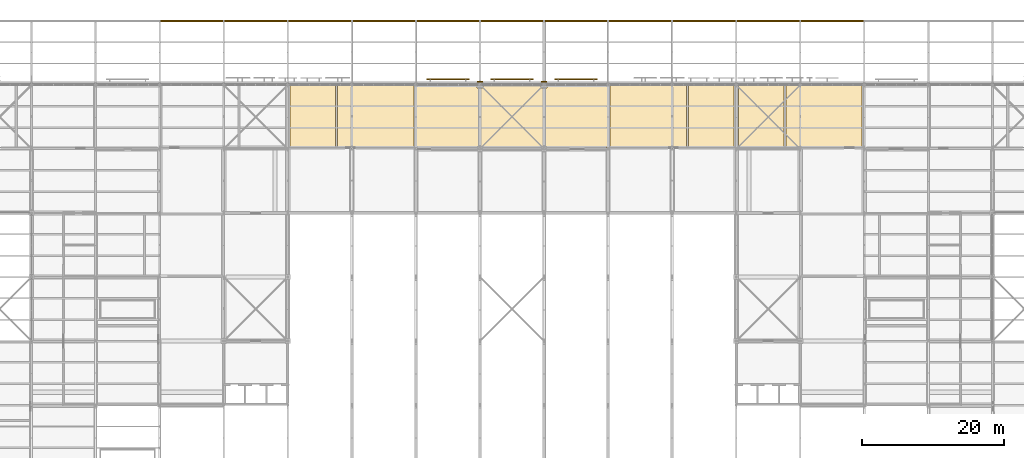
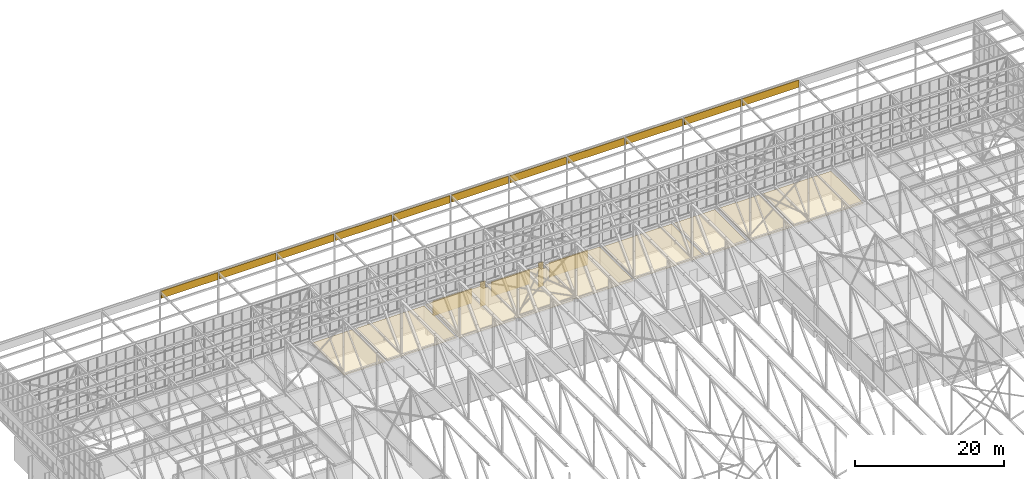
# One storey, part 643 of 646: 20 coverings, 3 shading devices.
"""IFC4 building model written with IfcOpenShell, lengths in metres."""

import ifcopenshell
import ifcopenshell.guid

model = None  # the IFC model being written
_history = None  # IfcOwnerHistory: only IFC2X3 demands one
_inside = {}  # id of a spatial element -> (the spatial element, [elements in it])
_under = {}  # id of a project, library or spatial element -> (it, [spatial elements below it])
_declared = {}  # id of a project -> (the project, [libraries it declares])
_typed = {}  # id of a type object -> (the type object, [elements of that type])
_made_of = {}  # id of a material, layer set ... -> (it, [elements and type objects made of it])


def new_model(schema):
    """Start an empty IFC model of exactly this schema.

    Asked for "IFC4X3", IfcOpenShell would pick the latest addendum, in which some entities
    have other attributes; the version numbers below select the first issue.
    IFC2X3 requires an IfcOwnerHistory on every rooted entity: one is made here for all.
    """
    global model, _history
    if schema == "IFC4X3":
        model = ifcopenshell.file(schema_version=(4, 3, 0, 0))
    else:
        model = ifcopenshell.file(schema=schema)
    _inside.clear()
    _under.clear()
    _declared.clear()
    _typed.clear()
    _made_of.clear()
    _history = None
    if model.schema == "IFC2X3":
        org = make("IfcOrganization", Name="unknown")
        user = make(
            "IfcPersonAndOrganization",
            ThePerson=make("IfcPerson", FamilyName="unknown"),
            TheOrganization=org,
        )
        app = make(
            "IfcApplication",
            ApplicationDeveloper=org,
            Version="unknown",
            ApplicationFullName="unknown",
            ApplicationIdentifier="unknown",
        )
        _history = make(
            "IfcOwnerHistory",
            OwningUser=user,
            OwningApplication=app,
            ChangeAction="ADDED",
            CreationDate=0,
        )
    return model


def make(cls, **values):
    """One entity of the class cls with the attributes given. An attribute that is None is left unset."""
    return model.create_entity(
        cls, **{name: value for name, value in values.items() if value is not None}
    )


def rooted(cls, **values):
    """An entity with a GlobalId (a new one), such as an element, a storey or a relation."""
    return make(cls, GlobalId=ifcopenshell.guid.new(), OwnerHistory=_history, **values)


def si_unit(unit_type, name, prefix=None):
    """IfcSIUnit, for example si_unit("LENGTHUNIT", "METRE", prefix="MILLI")."""
    return make("IfcSIUnit", UnitType=unit_type, Prefix=prefix, Name=name)


def assignment(units):
    """IfcUnitAssignment: the units of a project."""
    return None if units is None else make("IfcUnitAssignment", Units=units)


def point(xyz):
    """IfcCartesianPoint."""
    return None if xyz is None else make("IfcCartesianPoint", Coordinates=xyz)


def direction(xyz):
    """IfcDirection."""
    return None if xyz is None else make("IfcDirection", DirectionRatios=xyz)


def frame(location, z_axis=None, x_axis=None):
    """IfcAxis2Placement3D, a coordinate frame: its origin and axes. An axis left out is left unset."""
    return make(
        "IfcAxis2Placement3D",
        Location=point(location),
        Axis=direction(z_axis),
        RefDirection=direction(x_axis),
    )


def frame_2d(location, x_axis=None):
    """IfcAxis2Placement2D, a coordinate frame in the plane: its origin and x axis."""
    return make(
        "IfcAxis2Placement2D", Location=point(location), RefDirection=direction(x_axis)
    )


def origin():
    """The frame at (0, 0, 0) with its axes left unset."""
    return frame((0.0, 0.0, 0.0))


def origin_2d():
    """The frame at (0, 0) in the plane with its x axis left unset."""
    return frame_2d((0.0, 0.0))


def place(relative_to, where):
    """IfcLocalPlacement: puts the frame where relative to a parent placement (None: the world)."""
    return make(
        "IfcLocalPlacement", PlacementRelTo=relative_to, RelativePlacement=where
    )


def context(
    kind, dimensions, precision=None, world=None, true_north=None, identifier=None
):
    """IfcGeometricRepresentationContext, for example the 3D "Model" context."""
    return make(
        "IfcGeometricRepresentationContext",
        ContextIdentifier=identifier,
        ContextType=kind,
        CoordinateSpaceDimension=dimensions,
        Precision=precision,
        WorldCoordinateSystem=world,
        TrueNorth=true_north,
    )


def subcontext(parent, identifier, kind, view, scale=None):
    """IfcGeometricRepresentationSubContext, for example "Body" below "Model"."""
    return make(
        "IfcGeometricRepresentationSubContext",
        ContextIdentifier=identifier,
        ContextType=kind,
        ParentContext=parent,
        TargetScale=scale,
        TargetView=view,
    )


def project(units=None, contexts=None):
    """IfcProject with its units and contexts."""
    return rooted(
        "IfcProject",
        Name="project",
        RepresentationContexts=contexts,
        UnitsInContext=assignment(units),
    )


def spatial(cls, under=None, at=None, **own):
    """A site, building, storey or space (cls), placed at a placement, below another one or the project."""
    s = rooted(cls, ObjectPlacement=at, **own)
    if under is not None:
        _under.setdefault(under.id(), (under, []))[1].append(s)
    return s


def polyline(points):
    """IfcPolyline through the points."""
    return make("IfcPolyline", Points=[point(p) for p in points])


def profile(cls, at=None, kind="AREA", **sizes):
    """A parametric profile (cls). Its sizes go by their IFC names, for example OverallWidth=200.0."""
    return make(cls, ProfileType=kind, Position=at, **sizes)


def rectangle(**sizes):
    """IfcRectangleProfileDef."""
    return profile("IfcRectangleProfileDef", **sizes)


def outline(outer, holes=None, kind="AREA"):
    """IfcArbitraryClosedProfileDef: a profile drawn as a closed curve; with holes, ...WithVoids."""
    if holes is None:
        return make("IfcArbitraryClosedProfileDef", ProfileType=kind, OuterCurve=outer)
    return make(
        "IfcArbitraryProfileDefWithVoids",
        ProfileType=kind,
        OuterCurve=outer,
        InnerCurves=holes,
    )


def extrude(swept, where, along, depth):
    """IfcExtrudedAreaSolid: the profile swept, set in the frame where, extruded along a direction by depth."""
    return make(
        "IfcExtrudedAreaSolid",
        SweptArea=swept,
        Position=where,
        ExtrudedDirection=direction(along),
        Depth=depth,
    )


def shape(context_of_items, identifier, shape_type, items):
    """IfcShapeRepresentation: the items that make up one representation, for example the "Body"."""
    return make(
        "IfcShapeRepresentation",
        ContextOfItems=context_of_items,
        RepresentationIdentifier=identifier,
        RepresentationType=shape_type,
        Items=items,
    )


def material(Name=None, Category=None):
    """IfcMaterial."""
    return make("IfcMaterial", Name=Name, Category=Category)


def layer(
    of_material, thickness, ventilated=None, Name=None, Category=None, Priority=None
):
    """IfcMaterialLayer: one layer of a wall or slab, of a material (None: an air gap)."""
    return make(
        "IfcMaterialLayer",
        Material=of_material,
        LayerThickness=thickness,
        IsVentilated=ventilated,
        Name=Name,
        Category=Category,
        Priority=Priority,
    )


def layer_set(layers, Name=None):
    """IfcMaterialLayerSet."""
    return make("IfcMaterialLayerSet", MaterialLayers=layers, LayerSetName=Name)


def made_of(thing, what):
    """Note that an element or type object is made of a material, layer set ...; save() writes the relation."""
    if what is not None:
        _made_of.setdefault(what.id(), (what, []))[1].append(thing)
    return thing


def type_object(cls, material=None, **own):
    """A type object (cls), such as IfcWallType, which elements share."""
    return made_of(rooted(cls, **own), material)


def element(
    cls,
    number,
    at=None,
    inside=None,
    cuts=None,
    type_object=None,
    material=None,
    context=None,
    identifier="Body",
    shape_type=None,
    held_by="IfcProductDefinitionShape",
    body=None,
    shapes=None,
    **own,
):
    """One element of the class cls, such as IfcWall. Its Tag is "e" and its number.

    at: its placement. inside: the storey or other place that contains it. cuts: it is an
    opening in that element (IfcRelVoidsElement). A single representation is given by context,
    identifier, shape_type and body (its items); several are given by shapes. held_by: the class
    of the entity that holds the representations. save() writes the other relations.
    """
    e = rooted(cls, Tag="e%d" % number, ObjectPlacement=at, **own)
    if body is not None:
        shapes = [shape(context, identifier, shape_type, body)]
    if shapes is not None:
        e.Representation = make(held_by, Representations=shapes)
    if inside is not None:
        _inside.setdefault(inside.id(), (inside, []))[1].append(e)
    if cuts is not None:
        rooted(
            "IfcRelVoidsElement", RelatingBuildingElement=cuts, RelatedOpeningElement=e
        )
    if type_object is not None:
        _typed.setdefault(type_object.id(), (type_object, []))[1].append(e)
    return made_of(e, material)


def aggregate(whole, parts):
    """IfcRelAggregates: a whole, such as a stair, and the parts it consists of."""
    return rooted("IfcRelAggregates", RelatingObject=whole, RelatedObjects=parts)


def save(model, path):
    """Write the relations noted so far, then the file.

    IfcRelAggregates (storeys below a building ...), IfcRelContainedInSpatialStructure (elements
    in a storey), IfcRelDefinesByType, IfcRelAssociatesMaterial and IfcRelDeclares: one each for
    every whole, place, type object, material and project.
    """
    for whole, parts in _under.values():
        aggregate(whole, parts)
    for where, things in _inside.values():
        rooted(
            "IfcRelContainedInSpatialStructure",
            RelatedElements=things,
            RelatingStructure=where,
        )
    for kind, things in _typed.values():
        rooted("IfcRelDefinesByType", RelatedObjects=things, RelatingType=kind)
    for what, things in _made_of.values():
        rooted("IfcRelAssociatesMaterial", RelatedObjects=things, RelatingMaterial=what)
    for by, libraries in _declared.values():
        rooted("IfcRelDeclares", RelatingContext=by, RelatedDefinitions=libraries)
    model.write(path)


model = new_model("IFC4")

# Units and contexts
model_context = context("Model", 3, precision=1e-05, world=origin(), true_north=direction((0.0, 1.0)))
body_context = subcontext(model_context, "Body", "Model", "MODEL_VIEW")
ifc_project = project(units=[si_unit("LENGTHUNIT", "METRE"), si_unit("AREAUNIT", "SQUARE_METRE"), si_unit("VOLUMEUNIT", "CUBIC_METRE"), si_unit("PLANEANGLEUNIT", "RADIAN"), si_unit("MASSUNIT", "GRAM", prefix="KILO")], contexts=[model_context])

# Site, building, storey
site_placement = place(None, origin())
site = spatial("IfcSite", under=ifc_project, at=site_placement, CompositionType="ELEMENT")
building_placement = place(site_placement, origin())
building = spatial("IfcBuilding", under=site, at=building_placement, Name="Silverbay Arena", CompositionType="ELEMENT")
storey_placement = place(building_placement, frame((0.0, 0.0, 33.5)))
storey = spatial("IfcBuildingStorey", under=building, at=storey_placement, Name="L05", CompositionType="ELEMENT", Elevation=33.5)

# Coverings
ifc_material_1 = material(Name="Aluminium composite cladding", Category="aluminium")
ifc_layer_1 = layer(ifc_material_1, 0.10009765625)
ifc_layer_set_1 = layer_set([ifc_layer_1], Name="Aluminium composite cladding")
covering_type_1 = type_object("IfcCoveringType", Name="Column cladding 100", PredefinedType="CLADDING", material=ifc_layer_set_1)
covering_1_placement = place(storey_placement, origin())
element("IfcCovering", 1, at=covering_1_placement, inside=storey, type_object=covering_type_1, Name="North column cladding L05 2", PredefinedType="CLADDING", context=body_context, shape_type="SweptSolid", body=[
    extrude(outline(polyline([(125.60009765625, 144.39990234375), (126.39990234375, 144.39990234375), (126.39990234375, 144.5), (125.60009765625, 144.5), (125.60009765625, 144.39990234375)])), origin(), (0.0, 0.0, 1.0), 4.0),
])
covering_2_placement = place(storey_placement, origin())
element("IfcCovering", 2, at=covering_2_placement, inside=storey, type_object=covering_type_1, Name="North column cladding L05 4", PredefinedType="CLADDING", context=body_context, shape_type="SweptSolid", body=[
    extrude(outline(polyline([(134.60009765625, 144.39990234375), (135.39990234375, 144.39990234375), (135.39990234375, 144.5), (134.60009765625, 144.5), (134.60009765625, 144.39990234375)])), origin(), (0.0, 0.0, 1.0), 4.0),
])
ifc_material_2 = material(Name="Fire-resisting board ceiling")
ifc_layer_2 = layer(ifc_material_2, 0.050048828125)
ifc_layer_set_2 = layer_set([ifc_layer_2], Name="Fire-resisting board ceiling")
covering_type_2 = type_object("IfcCoveringType", Name="Fire-resisting ceiling EI 120", PredefinedType="CEILING", material=ifc_layer_set_2)
covering_3_placement = place(storey_placement, frame((0.0, 0.0, 3.5)))
element("IfcCovering", 3, at=covering_3_placement, inside=storey, type_object=covering_type_2, Name="Fire-resisting ceiling 21", PredefinedType="CEILING", context=body_context, shape_type="SweptSolid", body=[
    extrude(outline(polyline([(125.590087890625, 144.02001953125), (125.5400390625, 144.02001953125), (125.5400390625, 144.199951171875), (117.06005859375, 144.199951171875), (117.06005859375, 144.02001953125), (117.030029296875, 144.02001953125), (117.030029296875, 135.10009765625), (125.639892578125, 135.10009765625), (125.639892578125, 135.360107421875), (126.360107421875, 135.360107421875), (126.360107421875, 135.10009765625), (134.639892578125, 135.10009765625), (134.639892578125, 135.360107421875), (135.360107421875, 135.360107421875), (135.360107421875, 135.10009765625), (143.969970703125, 135.10009765625), (143.969970703125, 144.02001953125), (143.93994140625, 144.02001953125), (143.93994140625, 144.199951171875), (135.4599609375, 144.199951171875), (135.4599609375, 144.02001953125), (135.409912109375, 144.02001953125), (135.409912109375, 143.590087890625), (134.590087890625, 143.590087890625), (134.590087890625, 144.02001953125), (134.5400390625, 144.02001953125), (134.5400390625, 144.199951171875), (126.4599609375, 144.199951171875), (126.4599609375, 144.02001953125), (126.409912109375, 144.02001953125), (126.409912109375, 143.590087890625), (125.590087890625, 143.590087890625), (125.590087890625, 144.02001953125)])), origin(), (0.0, 0.0, 1.0), 0.050048828125),
])
covering_4_placement = place(storey_placement, frame((0.0, 0.0, 3.5)))
element("IfcCovering", 4, at=covering_4_placement, inside=storey, type_object=covering_type_2, Name="Fire-resisting ceiling 49", PredefinedType="CEILING", context=body_context, shape_type="SweptSolid", body=[
    extrude(outline(polyline([(106.0, 144.0), (106.0, 135.300048828125), (116.699951171875, 135.300048828125), (116.699951171875, 144.0), (106.0, 144.0)])), origin(), (0.0, 0.0, 1.0), 0.050048828125),
])
covering_5_placement = place(storey_placement, frame((0.0, 0.0, 3.5)))
element("IfcCovering", 5, at=covering_5_placement, inside=storey, type_object=covering_type_2, Name="Fire-resisting ceiling 50", PredefinedType="CEILING", context=body_context, shape_type="SweptSolid", body=[
    extrude(outline(polyline([(99.300048828125, 144.0), (99.300048828125, 135.300048828125), (105.699951171875, 135.300048828125), (105.699951171875, 144.0), (99.300048828125, 144.0)])), origin(), (0.0, 0.0, 1.0), 0.050048828125),
])
covering_6_placement = place(storey_placement, frame((0.0, 0.0, 3.5)))
element("IfcCovering", 6, at=covering_6_placement, inside=storey, type_object=covering_type_2, Name="Fire-resisting ceiling 51", PredefinedType="CEILING", context=body_context, shape_type="SweptSolid", body=[
    extrude(outline(polyline([(144.300048828125, 144.0), (144.300048828125, 135.300048828125), (155.0, 135.300048828125), (155.0, 144.0), (144.300048828125, 144.0)])), origin(), (0.0, 0.0, 1.0), 0.050048828125),
])
covering_7_placement = place(storey_placement, frame((0.0, 0.0, 3.5)))
element("IfcCovering", 7, at=covering_7_placement, inside=storey, type_object=covering_type_2, Name="Fire-resisting ceiling 52", PredefinedType="CEILING", context=body_context, shape_type="SweptSolid", body=[
    extrude(outline(polyline([(155.300048828125, 144.0), (155.300048828125, 135.300048828125), (161.699951171875, 135.300048828125), (161.699951171875, 144.0), (155.300048828125, 144.0)])), origin(), (0.0, 0.0, 1.0), 0.050048828125),
])
covering_8_placement = place(storey_placement, frame((0.0, 0.0, 3.5)))
element("IfcCovering", 8, at=covering_8_placement, inside=storey, type_object=covering_type_2, Name="Fire-resisting ceiling 53", PredefinedType="CEILING", context=body_context, shape_type="SweptSolid", body=[
    extrude(outline(polyline([(169.0, 144.0), (169.0, 135.300048828125), (179.699951171875, 135.300048828125), (179.699951171875, 144.0), (169.0, 144.0)])), origin(), (0.0, 0.0, 1.0), 0.050048828125),
])
covering_9_placement = place(storey_placement, frame((0.0, 0.0, 3.5)))
element("IfcCovering", 9, at=covering_9_placement, inside=storey, type_object=covering_type_2, Name="Fire-resisting ceiling 54", PredefinedType="CEILING", context=body_context, shape_type="SweptSolid", body=[
    extrude(outline(polyline([(162.300048828125, 144.0), (162.300048828125, 135.300048828125), (168.699951171875, 135.300048828125), (168.699951171875, 144.0), (162.300048828125, 144.0)])), origin(), (0.0, 0.0, 1.0), 0.050048828125),
])

# Shading devices
ifc_material_3 = material(Name="Aluminium", Category="aluminium")
shading_device_type = type_object("IfcShadingDeviceType", Name="Louvre screen 6000 x 2400", PredefinedType="JALOUSIE", material=ifc_material_3)
for number, where, z_axis, x_axis, name in (
    (10, (121.5, 144.77490234375, 0.800048828125), (0.0, 0.0, 1.0), (1.0, 0.0, 0.0), "North plant louvre L05 bay 8"),
    (11, (130.5, 144.77490234375, 0.800048828125), (0.0, 0.0, 1.0), (1.0, 0.0, 0.0), "North plant louvre L05 bay 9"),
    (12, (139.5, 144.77490234375, 0.800048828125), (0.0, 0.0, 1.0), (1.0, 0.0, 0.0), "North plant louvre L05 bay 10"),
):
    element("IfcShadingDevice", number, at=place(storey_placement, frame(where, z_axis=z_axis, x_axis=x_axis)), inside=storey, type_object=shading_device_type, Name=name, PredefinedType="JALOUSIE", context=body_context, shape_type="SweptSolid", body=[
        extrude(rectangle(XDim=6.0, YDim=0.14990234375, at=origin_2d()), origin(), (0.0, 0.0, 1.0), 2.39990234375),
    ])

# Coverings
ifc_material_4 = material(Name="Insulated metal cladding panel")
ifc_layer_3 = layer(ifc_material_4, 0.199951171875)
ifc_layer_set_3 = layer_set([ifc_layer_3], Name="Insulated metal cladding panel")
covering_type_3 = type_object("IfcCoveringType", Name="Roof edge fascia 200", PredefinedType="CLADDING", material=ifc_layer_set_3)
covering_10_placement = place(storey_placement, frame((0.0, 0.0, 11.800048828125)))
element("IfcCovering", 13, at=covering_10_placement, inside=storey, type_object=covering_type_3, Name="ROOF EDGE FASCIA north bay 04", PredefinedType="CLADDING", context=body_context, shape_type="SweptSolid", body=[
    extrude(outline(polyline([(81.127197265625, 152.89990234375), (89.872802734375, 152.89990234375), (89.872802734375, 153.10009765625), (81.127197265625, 153.10009765625), (81.127197265625, 152.89990234375)])), origin(), (0.0, 0.0, 1.0), 1.199951171875),
])
covering_11_placement = place(storey_placement, frame((0.0, 0.0, 11.800048828125)))
element("IfcCovering", 14, at=covering_11_placement, inside=storey, type_object=covering_type_3, Name="ROOF EDGE FASCIA north bay 05", PredefinedType="CLADDING", context=body_context, shape_type="SweptSolid", body=[
    extrude(outline(polyline([(90.127197265625, 152.89990234375), (98.872802734375, 152.89990234375), (98.872802734375, 153.10009765625), (90.127197265625, 153.10009765625), (90.127197265625, 152.89990234375)])), origin(), (0.0, 0.0, 1.0), 1.199951171875),
])
covering_12_placement = place(storey_placement, frame((0.0, 0.0, 11.800048828125)))
element("IfcCovering", 15, at=covering_12_placement, inside=storey, type_object=covering_type_3, Name="ROOF EDGE FASCIA north bay 06", PredefinedType="CLADDING", context=body_context, shape_type="SweptSolid", body=[
    extrude(outline(polyline([(99.127197265625, 152.89990234375), (107.87060546875, 152.89990234375), (107.87060546875, 153.10009765625), (99.127197265625, 153.10009765625), (99.127197265625, 152.89990234375)])), origin(), (0.0, 0.0, 1.0), 1.199951171875),
])
covering_13_placement = place(storey_placement, frame((0.0, 0.0, 11.800048828125)))
element("IfcCovering", 16, at=covering_13_placement, inside=storey, type_object=covering_type_3, Name="ROOF EDGE FASCIA north bay 07", PredefinedType="CLADDING", context=body_context, shape_type="SweptSolid", body=[
    extrude(outline(polyline([(108.12939453125, 152.89990234375), (116.87060546875, 152.89990234375), (116.87060546875, 153.10009765625), (108.12939453125, 153.10009765625), (108.12939453125, 152.89990234375)])), origin(), (0.0, 0.0, 1.0), 1.199951171875),
])
covering_14_placement = place(storey_placement, frame((0.0, 0.0, 11.800048828125)))
element("IfcCovering", 17, at=covering_14_placement, inside=storey, type_object=covering_type_3, Name="ROOF EDGE FASCIA north bay 08", PredefinedType="CLADDING", context=body_context, shape_type="SweptSolid", body=[
    extrude(outline(polyline([(117.12939453125, 152.89990234375), (125.87060546875, 152.89990234375), (125.87060546875, 153.10009765625), (117.12939453125, 153.10009765625), (117.12939453125, 152.89990234375)])), origin(), (0.0, 0.0, 1.0), 1.199951171875),
])
covering_15_placement = place(storey_placement, frame((0.0, 0.0, 11.800048828125)))
element("IfcCovering", 18, at=covering_15_placement, inside=storey, type_object=covering_type_3, Name="ROOF EDGE FASCIA north bay 09", PredefinedType="CLADDING", context=body_context, shape_type="SweptSolid", body=[
    extrude(outline(polyline([(126.12939453125, 152.89990234375), (134.87060546875, 152.89990234375), (134.87060546875, 153.10009765625), (126.12939453125, 153.10009765625), (126.12939453125, 152.89990234375)])), origin(), (0.0, 0.0, 1.0), 1.199951171875),
])
covering_16_placement = place(storey_placement, frame((0.0, 0.0, 11.800048828125)))
element("IfcCovering", 19, at=covering_16_placement, inside=storey, type_object=covering_type_3, Name="ROOF EDGE FASCIA north bay 10", PredefinedType="CLADDING", context=body_context, shape_type="SweptSolid", body=[
    extrude(outline(polyline([(135.12939453125, 152.89990234375), (143.87060546875, 152.89990234375), (143.87060546875, 153.10009765625), (135.12939453125, 153.10009765625), (135.12939453125, 152.89990234375)])), origin(), (0.0, 0.0, 1.0), 1.199951171875),
])
covering_17_placement = place(storey_placement, frame((0.0, 0.0, 11.800048828125)))
element("IfcCovering", 20, at=covering_17_placement, inside=storey, type_object=covering_type_3, Name="ROOF EDGE FASCIA north bay 11", PredefinedType="CLADDING", context=body_context, shape_type="SweptSolid", body=[
    extrude(outline(polyline([(144.12939453125, 152.89990234375), (152.87060546875, 152.89990234375), (152.87060546875, 153.10009765625), (144.12939453125, 153.10009765625), (144.12939453125, 152.89990234375)])), origin(), (0.0, 0.0, 1.0), 1.199951171875),
])
covering_18_placement = place(storey_placement, frame((0.0, 0.0, 11.800048828125)))
element("IfcCovering", 21, at=covering_18_placement, inside=storey, type_object=covering_type_3, Name="ROOF EDGE FASCIA north bay 12", PredefinedType="CLADDING", context=body_context, shape_type="SweptSolid", body=[
    extrude(outline(polyline([(153.12939453125, 152.89990234375), (161.872802734375, 152.89990234375), (161.872802734375, 153.10009765625), (153.12939453125, 153.10009765625), (153.12939453125, 152.89990234375)])), origin(), (0.0, 0.0, 1.0), 1.199951171875),
])
covering_19_placement = place(storey_placement, frame((0.0, 0.0, 11.800048828125)))
element("IfcCovering", 22, at=covering_19_placement, inside=storey, type_object=covering_type_3, Name="ROOF EDGE FASCIA north bay 13", PredefinedType="CLADDING", context=body_context, shape_type="SweptSolid", body=[
    extrude(outline(polyline([(162.127197265625, 152.89990234375), (170.872802734375, 152.89990234375), (170.872802734375, 153.10009765625), (162.127197265625, 153.10009765625), (162.127197265625, 152.89990234375)])), origin(), (0.0, 0.0, 1.0), 1.199951171875),
])
covering_20_placement = place(storey_placement, frame((0.0, 0.0, 11.800048828125)))
element("IfcCovering", 23, at=covering_20_placement, inside=storey, type_object=covering_type_3, Name="ROOF EDGE FASCIA north bay 14", PredefinedType="CLADDING", context=body_context, shape_type="SweptSolid", body=[
    extrude(outline(polyline([(171.127197265625, 152.89990234375), (179.872802734375, 152.89990234375), (179.872802734375, 153.10009765625), (171.127197265625, 153.10009765625), (171.127197265625, 152.89990234375)])), origin(), (0.0, 0.0, 1.0), 1.199951171875),
])

save(model, "model.ifc")
